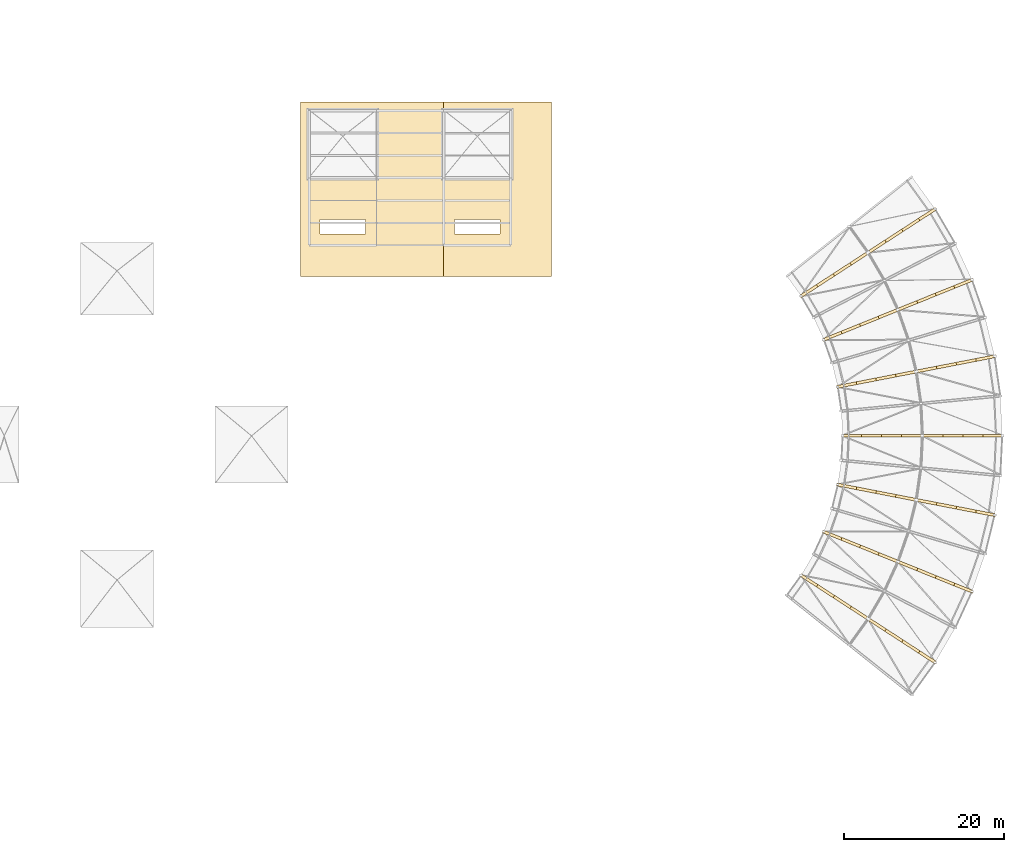
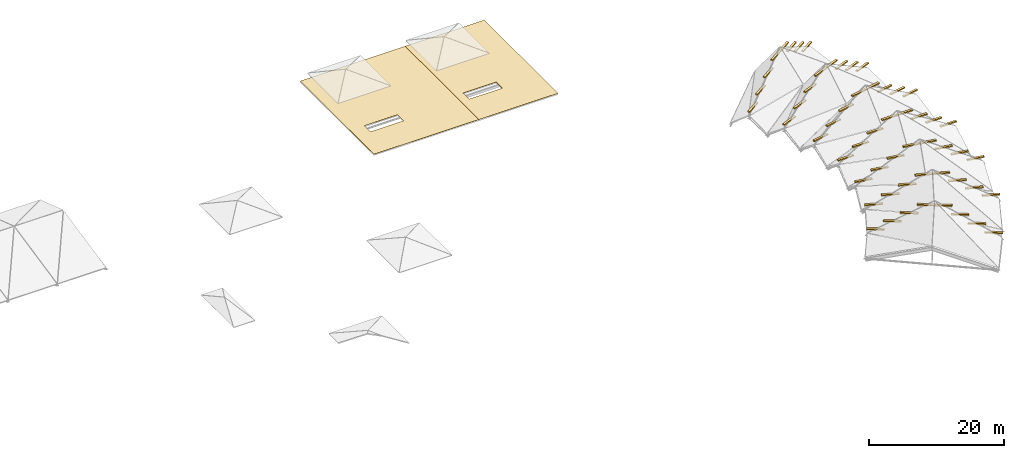
# One storey, part 10 of 10: 58 coverings.
"""IFC4 building model written with IfcOpenShell, lengths in metres."""

import ifcopenshell
import ifcopenshell.guid

model = None  # the IFC model being written
_history = None  # IfcOwnerHistory: only IFC2X3 demands one
_inside = {}  # id of a spatial element -> (the spatial element, [elements in it])
_under = {}  # id of a project, library or spatial element -> (it, [spatial elements below it])
_declared = {}  # id of a project -> (the project, [libraries it declares])
_typed = {}  # id of a type object -> (the type object, [elements of that type])
_made_of = {}  # id of a material, layer set ... -> (it, [elements and type objects made of it])


def new_model(schema):
    """Start an empty IFC model of exactly this schema.

    Asked for "IFC4X3", IfcOpenShell would pick the latest addendum, in which some entities
    have other attributes; the version numbers below select the first issue.
    IFC2X3 requires an IfcOwnerHistory on every rooted entity: one is made here for all.
    """
    global model, _history
    if schema == "IFC4X3":
        model = ifcopenshell.file(schema_version=(4, 3, 0, 0))
    else:
        model = ifcopenshell.file(schema=schema)
    _inside.clear()
    _under.clear()
    _declared.clear()
    _typed.clear()
    _made_of.clear()
    _history = None
    if model.schema == "IFC2X3":
        org = make("IfcOrganization", Name="unknown")
        user = make(
            "IfcPersonAndOrganization",
            ThePerson=make("IfcPerson", FamilyName="unknown"),
            TheOrganization=org,
        )
        app = make(
            "IfcApplication",
            ApplicationDeveloper=org,
            Version="unknown",
            ApplicationFullName="unknown",
            ApplicationIdentifier="unknown",
        )
        _history = make(
            "IfcOwnerHistory",
            OwningUser=user,
            OwningApplication=app,
            ChangeAction="ADDED",
            CreationDate=0,
        )
    return model


def make(cls, **values):
    """One entity of the class cls with the attributes given. An attribute that is None is left unset."""
    return model.create_entity(
        cls, **{name: value for name, value in values.items() if value is not None}
    )


def rooted(cls, **values):
    """An entity with a GlobalId (a new one), such as an element, a storey or a relation."""
    return make(cls, GlobalId=ifcopenshell.guid.new(), OwnerHistory=_history, **values)


def si_unit(unit_type, name, prefix=None):
    """IfcSIUnit, for example si_unit("LENGTHUNIT", "METRE", prefix="MILLI")."""
    return make("IfcSIUnit", UnitType=unit_type, Prefix=prefix, Name=name)


def assignment(units):
    """IfcUnitAssignment: the units of a project."""
    return None if units is None else make("IfcUnitAssignment", Units=units)


def point(xyz):
    """IfcCartesianPoint."""
    return None if xyz is None else make("IfcCartesianPoint", Coordinates=xyz)


def direction(xyz):
    """IfcDirection."""
    return None if xyz is None else make("IfcDirection", DirectionRatios=xyz)


def frame(location, z_axis=None, x_axis=None):
    """IfcAxis2Placement3D, a coordinate frame: its origin and axes. An axis left out is left unset."""
    return make(
        "IfcAxis2Placement3D",
        Location=point(location),
        Axis=direction(z_axis),
        RefDirection=direction(x_axis),
    )


def frame_2d(location, x_axis=None):
    """IfcAxis2Placement2D, a coordinate frame in the plane: its origin and x axis."""
    return make(
        "IfcAxis2Placement2D", Location=point(location), RefDirection=direction(x_axis)
    )


def origin():
    """The frame at (0, 0, 0) with its axes left unset."""
    return frame((0.0, 0.0, 0.0))


def origin_2d():
    """The frame at (0, 0) in the plane with its x axis left unset."""
    return frame_2d((0.0, 0.0))


def place(relative_to, where):
    """IfcLocalPlacement: puts the frame where relative to a parent placement (None: the world)."""
    return make(
        "IfcLocalPlacement", PlacementRelTo=relative_to, RelativePlacement=where
    )


def context(
    kind, dimensions, precision=None, world=None, true_north=None, identifier=None
):
    """IfcGeometricRepresentationContext, for example the 3D "Model" context."""
    return make(
        "IfcGeometricRepresentationContext",
        ContextIdentifier=identifier,
        ContextType=kind,
        CoordinateSpaceDimension=dimensions,
        Precision=precision,
        WorldCoordinateSystem=world,
        TrueNorth=true_north,
    )


def subcontext(parent, identifier, kind, view, scale=None):
    """IfcGeometricRepresentationSubContext, for example "Body" below "Model"."""
    return make(
        "IfcGeometricRepresentationSubContext",
        ContextIdentifier=identifier,
        ContextType=kind,
        ParentContext=parent,
        TargetScale=scale,
        TargetView=view,
    )


def project(units=None, contexts=None):
    """IfcProject with its units and contexts."""
    return rooted(
        "IfcProject",
        Name="project",
        RepresentationContexts=contexts,
        UnitsInContext=assignment(units),
    )


def spatial(cls, under=None, at=None, **own):
    """A site, building, storey or space (cls), placed at a placement, below another one or the project."""
    s = rooted(cls, ObjectPlacement=at, **own)
    if under is not None:
        _under.setdefault(under.id(), (under, []))[1].append(s)
    return s


def polyline(points):
    """IfcPolyline through the points."""
    return make("IfcPolyline", Points=[point(p) for p in points])


def profile(cls, at=None, kind="AREA", **sizes):
    """A parametric profile (cls). Its sizes go by their IFC names, for example OverallWidth=200.0."""
    return make(cls, ProfileType=kind, Position=at, **sizes)


def rectangle(**sizes):
    """IfcRectangleProfileDef."""
    return profile("IfcRectangleProfileDef", **sizes)


def outline(outer, holes=None, kind="AREA"):
    """IfcArbitraryClosedProfileDef: a profile drawn as a closed curve; with holes, ...WithVoids."""
    if holes is None:
        return make("IfcArbitraryClosedProfileDef", ProfileType=kind, OuterCurve=outer)
    return make(
        "IfcArbitraryProfileDefWithVoids",
        ProfileType=kind,
        OuterCurve=outer,
        InnerCurves=holes,
    )


def extrude(swept, where, along, depth):
    """IfcExtrudedAreaSolid: the profile swept, set in the frame where, extruded along a direction by depth."""
    return make(
        "IfcExtrudedAreaSolid",
        SweptArea=swept,
        Position=where,
        ExtrudedDirection=direction(along),
        Depth=depth,
    )


def shape(context_of_items, identifier, shape_type, items):
    """IfcShapeRepresentation: the items that make up one representation, for example the "Body"."""
    return make(
        "IfcShapeRepresentation",
        ContextOfItems=context_of_items,
        RepresentationIdentifier=identifier,
        RepresentationType=shape_type,
        Items=items,
    )


def material(Name=None, Category=None):
    """IfcMaterial."""
    return make("IfcMaterial", Name=Name, Category=Category)


def layer(
    of_material, thickness, ventilated=None, Name=None, Category=None, Priority=None
):
    """IfcMaterialLayer: one layer of a wall or slab, of a material (None: an air gap)."""
    return make(
        "IfcMaterialLayer",
        Material=of_material,
        LayerThickness=thickness,
        IsVentilated=ventilated,
        Name=Name,
        Category=Category,
        Priority=Priority,
    )


def layer_set(layers, Name=None):
    """IfcMaterialLayerSet."""
    return make("IfcMaterialLayerSet", MaterialLayers=layers, LayerSetName=Name)


def made_of(thing, what):
    """Note that an element or type object is made of a material, layer set ...; save() writes the relation."""
    if what is not None:
        _made_of.setdefault(what.id(), (what, []))[1].append(thing)
    return thing


def type_object(cls, material=None, **own):
    """A type object (cls), such as IfcWallType, which elements share."""
    return made_of(rooted(cls, **own), material)


def element(
    cls,
    number,
    at=None,
    inside=None,
    cuts=None,
    type_object=None,
    material=None,
    context=None,
    identifier="Body",
    shape_type=None,
    held_by="IfcProductDefinitionShape",
    body=None,
    shapes=None,
    **own,
):
    """One element of the class cls, such as IfcWall. Its Tag is "e" and its number.

    at: its placement. inside: the storey or other place that contains it. cuts: it is an
    opening in that element (IfcRelVoidsElement). A single representation is given by context,
    identifier, shape_type and body (its items); several are given by shapes. held_by: the class
    of the entity that holds the representations. save() writes the other relations.
    """
    e = rooted(cls, Tag="e%d" % number, ObjectPlacement=at, **own)
    if body is not None:
        shapes = [shape(context, identifier, shape_type, body)]
    if shapes is not None:
        e.Representation = make(held_by, Representations=shapes)
    if inside is not None:
        _inside.setdefault(inside.id(), (inside, []))[1].append(e)
    if cuts is not None:
        rooted(
            "IfcRelVoidsElement", RelatingBuildingElement=cuts, RelatedOpeningElement=e
        )
    if type_object is not None:
        _typed.setdefault(type_object.id(), (type_object, []))[1].append(e)
    return made_of(e, material)


def aggregate(whole, parts):
    """IfcRelAggregates: a whole, such as a stair, and the parts it consists of."""
    return rooted("IfcRelAggregates", RelatingObject=whole, RelatedObjects=parts)


def save(model, path):
    """Write the relations noted so far, then the file.

    IfcRelAggregates (storeys below a building ...), IfcRelContainedInSpatialStructure (elements
    in a storey), IfcRelDefinesByType, IfcRelAssociatesMaterial and IfcRelDeclares: one each for
    every whole, place, type object, material and project.
    """
    for whole, parts in _under.values():
        aggregate(whole, parts)
    for where, things in _inside.values():
        rooted(
            "IfcRelContainedInSpatialStructure",
            RelatedElements=things,
            RelatingStructure=where,
        )
    for kind, things in _typed.values():
        rooted("IfcRelDefinesByType", RelatedObjects=things, RelatingType=kind)
    for what, things in _made_of.values():
        rooted("IfcRelAssociatesMaterial", RelatedObjects=things, RelatingMaterial=what)
    for by, libraries in _declared.values():
        rooted("IfcRelDeclares", RelatingContext=by, RelatedDefinitions=libraries)
    model.write(path)


model = new_model("IFC4")

# Units and contexts
model_context = context("Model", 3, precision=1e-05, world=origin(), true_north=direction((0.0, 1.0)))
body_context = subcontext(model_context, "Body", "Model", "MODEL_VIEW")
ifc_project = project(units=[si_unit("LENGTHUNIT", "METRE"), si_unit("AREAUNIT", "SQUARE_METRE"), si_unit("VOLUMEUNIT", "CUBIC_METRE"), si_unit("PLANEANGLEUNIT", "RADIAN"), si_unit("MASSUNIT", "GRAM", prefix="KILO")], contexts=[model_context])

# Site, building, storey
site_placement = place(None, origin())
site = spatial("IfcSite", under=ifc_project, at=site_placement, CompositionType="ELEMENT")
building_placement = place(site_placement, origin())
building = spatial("IfcBuilding", under=site, at=building_placement, Name="Vanh Quang Courtyard School", CompositionType="ELEMENT")
storey_placement = place(building_placement, frame((0.0, 0.0, 25.800048828125)))
storey = spatial("IfcBuildingStorey", under=building, at=storey_placement, Name="ROOF", CompositionType="ELEMENT", Elevation=25.800048828125)

# Coverings
ifc_material = material(Name="EPDM waterproof membrane")
ifc_layer = layer(ifc_material, 0.02490234375)
ifc_layer_set = layer_set([ifc_layer], Name="EPDM waterproof membrane")
covering_type = type_object("IfcCoveringType", Name="COV-ROOF-MEMBRANE", PredefinedType="ROOFING", material=ifc_layer_set)
covering_1_placement = place(storey_placement, origin())
element("IfcCovering", 1, at=covering_1_placement, inside=storey, type_object=covering_type, Name="Covering CV-RF1 (ROOF)", PredefinedType="ROOFING", context=body_context, shape_type="SweptSolid", body=[
    extrude(outline(polyline([(94.199951171875, 75.89990234375), (94.199951171875, 97.699951171875), (76.300048828125, 97.699951171875), (76.300048828125, 75.89990234375), (94.199951171875, 75.89990234375)]), holes=[polyline([(78.780029296875, 81.179931640625), (78.780029296875, 82.97998046875), (84.419921875, 82.97998046875), (84.419921875, 81.179931640625), (78.780029296875, 81.179931640625)])]), origin(), (0.0, 0.0, 1.0), 0.02490234375),
])
covering_2_placement = place(storey_placement, origin())
element("IfcCovering", 2, at=covering_2_placement, inside=storey, type_object=covering_type, Name="Covering CV-RF1 (ROOF)", PredefinedType="ROOFING", context=body_context, shape_type="SweptSolid", body=[
    extrude(outline(polyline([(107.699951171875, 97.699951171875), (94.199951171875, 97.699951171875), (94.199951171875, 75.89990234375), (107.699951171875, 75.89990234375), (107.699951171875, 97.699951171875)]), holes=[polyline([(95.580078125, 81.179931640625), (95.580078125, 82.97998046875), (101.219970703125, 82.97998046875), (101.219970703125, 81.179931640625), (95.580078125, 81.179931640625)])]), origin(), (0.0, 0.0, 1.0), 0.02490234375),
])
for number, where, z_axis, x_axis, name in (
    (3, (139.8857421875, 37.890869140625, -12.76513671875), (0.0, 0.0, 1.0), (0.838670567945, -0.544639035015, 0.0), "Covering CV-RF1 (ROOF)"),
    (4, (141.982421875, 36.529296875, -11.21484375), (0.0, 0.0, 1.0), (0.838670567945, -0.544639035015, 0.0), "Covering CV-RF1 (ROOF)"),
    (5, (144.0791015625, 35.16748046875, -9.6650390625), (0.0, 0.0, 1.0), (0.838670567945, -0.544639035015, 0.0), "Covering CV-RF1 (ROOF)"),
    (6, (146.17578125, 33.805908203125, -8.115234375), (0.0, 0.0, 1.0), (0.838670567945, -0.544639035015, 0.0), "Covering CV-RF1 (ROOF)"),
    (7, (148.2724609375, 32.4443359375, -8.115234375), (0.0, 0.0, 1.0), (0.838670567945, -0.544639035015, 0.0), "Covering CV-RF1 (ROOF)"),
    (8, (150.369140625, 31.082763671875, -9.6650390625), (0.0, 0.0, 1.0), (0.838670567945, -0.544639035015, 0.0), "Covering CV-RF1 (ROOF)"),
    (9, (152.4658203125, 29.72119140625, -11.21484375), (0.0, 0.0, 1.0), (0.838670567945, -0.544639035015, 0.0), "Covering CV-RF1 (ROOF)"),
    (10, (154.5625, 28.359619140625, -12.76513671875), (0.0, 0.0, 1.0), (0.838670567945, -0.544639035015, 0.0), "Covering CV-RF1 (ROOF)"),
    (11, (142.828857421875, 43.544189453125, -12.76513671875), (0.0, 0.0, 1.0), (0.927183854567, -0.374606593416, 0.0), "Covering CV-RF1 (ROOF)"),
    (12, (145.146728515625, 42.60791015625, -11.21484375), (0.0, 0.0, 1.0), (0.927183854567, -0.374606593416, 0.0), "Covering CV-RF1 (ROOF)"),
    (13, (147.46484375, 41.67138671875, -9.6650390625), (0.0, 0.0, 1.0), (0.927183854567, -0.374606593416, 0.0), "Covering CV-RF1 (ROOF)"),
    (14, (149.78271484375, 40.73486328125, -8.115234375), (0.0, 0.0, 1.0), (0.927183854567, -0.374606593416, 0.0), "Covering CV-RF1 (ROOF)"),
    (15, (152.1005859375, 39.79833984375, -8.115234375), (0.0, 0.0, 1.0), (0.927183854567, -0.374606593416, 0.0), "Covering CV-RF1 (ROOF)"),
    (16, (154.418701171875, 38.86181640625, -9.6650390625), (0.0, 0.0, 1.0), (0.927183854567, -0.374606593416, 0.0), "Covering CV-RF1 (ROOF)"),
    (17, (156.736572265625, 37.92529296875, -11.21484375), (0.0, 0.0, 1.0), (0.927183854567, -0.374606593416, 0.0), "Covering CV-RF1 (ROOF)"),
    (18, (159.0546875, 36.98876953125, -12.76513671875), (0.0, 0.0, 1.0), (0.927183854567, -0.374606593416, 0.0), "Covering CV-RF1 (ROOF)"),
    (19, (144.63916015625, 49.655517578125, -12.76513671875), (0.0, 0.0, 1.0), (0.981627183448, -0.190808995377, 0.0), "Covering CV-RF1 (ROOF)"),
    (20, (147.09326171875, 49.1787109375, -11.21484375), (0.0, 0.0, 1.0), (0.981627183448, -0.190808995377, 0.0), "Covering CV-RF1 (ROOF)"),
    (21, (149.547119140625, 48.701416015625, -9.6650390625), (0.0, 0.0, 1.0), (0.981627183448, -0.190808995377, 0.0), "Covering CV-RF1 (ROOF)"),
    (22, (152.001220703125, 48.224609375, -8.115234375), (0.0, 0.0, 1.0), (0.981627183448, -0.190808995377, 0.0), "Covering CV-RF1 (ROOF)"),
    (23, (154.455322265625, 47.74755859375, -8.115234375), (0.0, 0.0, 1.0), (0.981627183448, -0.190808995377, 0.0), "Covering CV-RF1 (ROOF)"),
    (24, (156.909423828125, 47.2705078125, -9.6650390625), (0.0, 0.0, 1.0), (0.981627183448, -0.190808995377, 0.0), "Covering CV-RF1 (ROOF)"),
    (25, (159.363525390625, 46.79345703125, -11.21484375), (0.0, 0.0, 1.0), (0.981627183448, -0.190808995377, 0.0), "Covering CV-RF1 (ROOF)"),
    (26, (161.817626953125, 46.31640625, -12.76513671875), (0.0, 0.0, 1.0), (0.981627183448, -0.190808995377, 0.0), "Covering CV-RF1 (ROOF)"),
    (27, (145.25, 56.0, -12.76513671875), (0.0, 0.0, 1.0), (1.0, 0.0, 0.0), "Covering CV-RF1 (ROOF)"),
    (28, (147.75, 56.0, -11.21484375), (0.0, 0.0, 1.0), (1.0, 0.0, 0.0), "Covering CV-RF1 (ROOF)"),
    (29, (150.25, 56.0, -9.6650390625), (0.0, 0.0, 1.0), (1.0, 0.0, 0.0), "Covering CV-RF1 (ROOF)"),
    (30, (152.75, 56.0, -8.115234375), (0.0, 0.0, 1.0), (1.0, 0.0, 0.0), "Covering CV-RF1 (ROOF)"),
    (31, (155.25, 56.0, -8.115234375), (0.0, 0.0, 1.0), (1.0, 0.0, 0.0), "Covering CV-RF1 (ROOF)"),
    (32, (157.75, 56.0, -9.6650390625), (0.0, 0.0, 1.0), (1.0, 0.0, 0.0), "Covering CV-RF1 (ROOF)"),
    (33, (160.25, 56.0, -11.21484375), (0.0, 0.0, 1.0), (1.0, 0.0, 0.0), "Covering CV-RF1 (ROOF)"),
    (34, (162.75, 56.0, -12.76513671875), (0.0, 0.0, 1.0), (1.0, 0.0, 0.0), "Covering CV-RF1 (ROOF)"),
    (35, (144.63916015625, 62.344482421875, -12.76513671875), (0.0, 0.0, 1.0), (0.981627183448, 0.190808995377, 0.0), "Covering CV-RF1 (ROOF)"),
    (36, (147.09326171875, 62.8212890625, -11.21484375), (0.0, 0.0, 1.0), (0.981627183448, 0.190808995377, 0.0), "Covering CV-RF1 (ROOF)"),
    (37, (149.547119140625, 63.298583984375, -9.6650390625), (0.0, 0.0, 1.0), (0.981627183448, 0.190808995377, 0.0), "Covering CV-RF1 (ROOF)"),
    (38, (152.001220703125, 63.775390625, -8.115234375), (0.0, 0.0, 1.0), (0.981627183448, 0.190808995377, 0.0), "Covering CV-RF1 (ROOF)"),
    (39, (154.455322265625, 64.25244140625, -8.115234375), (0.0, 0.0, 1.0), (0.981627183448, 0.190808995377, 0.0), "Covering CV-RF1 (ROOF)"),
    (40, (156.909423828125, 64.7294921875, -9.6650390625), (0.0, 0.0, 1.0), (0.981627183448, 0.190808995377, 0.0), "Covering CV-RF1 (ROOF)"),
    (41, (159.363525390625, 65.20654296875, -11.21484375), (0.0, 0.0, 1.0), (0.981627183448, 0.190808995377, 0.0), "Covering CV-RF1 (ROOF)"),
    (42, (161.817626953125, 65.68359375, -12.76513671875), (0.0, 0.0, 1.0), (0.981627183448, 0.190808995377, 0.0), "Covering CV-RF1 (ROOF)"),
    (43, (142.828857421875, 68.455810546875, -12.76513671875), (0.0, 0.0, 1.0), (0.927183854567, 0.374606593416, 0.0), "Covering CV-RF1 (ROOF)"),
    (44, (145.146728515625, 69.39208984375, -11.21484375), (0.0, 0.0, 1.0), (0.927183854567, 0.374606593416, 0.0), "Covering CV-RF1 (ROOF)"),
    (45, (147.46484375, 70.32861328125, -9.6650390625), (0.0, 0.0, 1.0), (0.927183854567, 0.374606593416, 0.0), "Covering CV-RF1 (ROOF)"),
    (46, (149.78271484375, 71.26513671875, -8.115234375), (0.0, 0.0, 1.0), (0.927183854567, 0.374606593416, 0.0), "Covering CV-RF1 (ROOF)"),
    (47, (152.1005859375, 72.201904296875, -8.115234375), (0.0, 0.0, 1.0), (0.927183854567, 0.374606593416, 0.0), "Covering CV-RF1 (ROOF)"),
    (48, (154.418701171875, 73.13818359375, -9.6650390625), (0.0, 0.0, 1.0), (0.927183854567, 0.374606593416, 0.0), "Covering CV-RF1 (ROOF)"),
    (49, (156.736572265625, 74.07470703125, -11.21484375), (0.0, 0.0, 1.0), (0.927183854567, 0.374606593416, 0.0), "Covering CV-RF1 (ROOF)"),
    (50, (159.0546875, 75.01123046875, -12.76513671875), (0.0, 0.0, 1.0), (0.927183854567, 0.374606593416, 0.0), "Covering CV-RF1 (ROOF)"),
    (51, (139.8857421875, 74.109130859375, -12.76513671875), (0.0, 0.0, 1.0), (0.838670567945, 0.544639035015, 0.0), "Covering CV-RF1 (ROOF)"),
    (52, (141.982421875, 75.470703125, -11.21484375), (0.0, 0.0, 1.0), (0.838670567945, 0.544639035015, 0.0), "Covering CV-RF1 (ROOF)"),
    (53, (144.0791015625, 76.83251953125, -9.6650390625), (0.0, 0.0, 1.0), (0.838670567945, 0.544639035015, 0.0), "Covering CV-RF1 (ROOF)"),
    (54, (146.17578125, 78.194091796875, -8.115234375), (0.0, 0.0, 1.0), (0.838670567945, 0.544639035015, 0.0), "Covering CV-RF1 (ROOF)"),
    (55, (148.2724609375, 79.5556640625, -8.115234375), (0.0, 0.0, 1.0), (0.838670567945, 0.544639035015, 0.0), "Covering CV-RF1 (ROOF)"),
    (56, (150.369140625, 80.917236328125, -9.6650390625), (0.0, 0.0, 1.0), (0.838670567945, 0.544639035015, 0.0), "Covering CV-RF1 (ROOF)"),
    (57, (152.4658203125, 82.27880859375, -11.21484375), (0.0, 0.0, 1.0), (0.838670567945, 0.544639035015, 0.0), "Covering CV-RF1 (ROOF)"),
    (58, (154.5625, 83.640380859375, -12.76513671875), (0.0, 0.0, 1.0), (0.838670567945, 0.544639035015, 0.0), "Covering CV-RF1 (ROOF)"),
):
    element("IfcCovering", number, at=place(storey_placement, frame(where, z_axis=z_axis, x_axis=x_axis)), inside=storey, type_object=covering_type, Name=name, PredefinedType="ROOFING", context=body_context, shape_type="SweptSolid", body=[
        extrude(rectangle(XDim=2.699951171875, YDim=0.360107421875, at=origin_2d()), origin(), (0.0, 0.0, 1.0), 0.219970703125),
    ])

save(model, "model.ifc")
